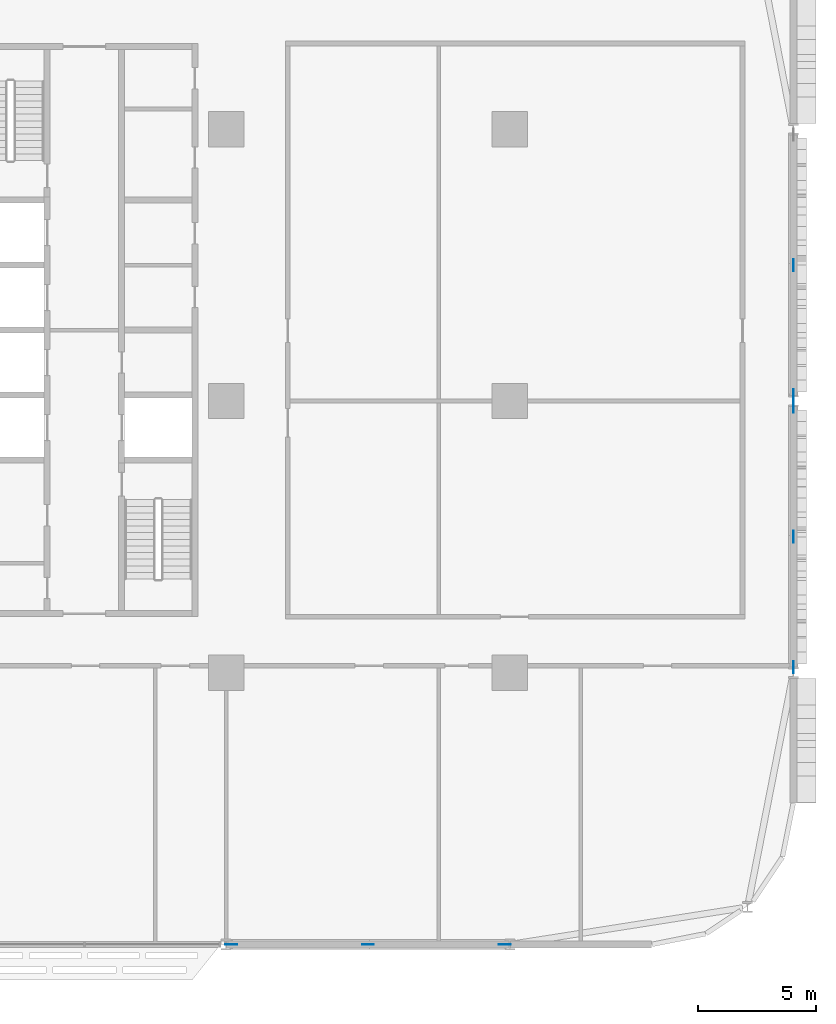
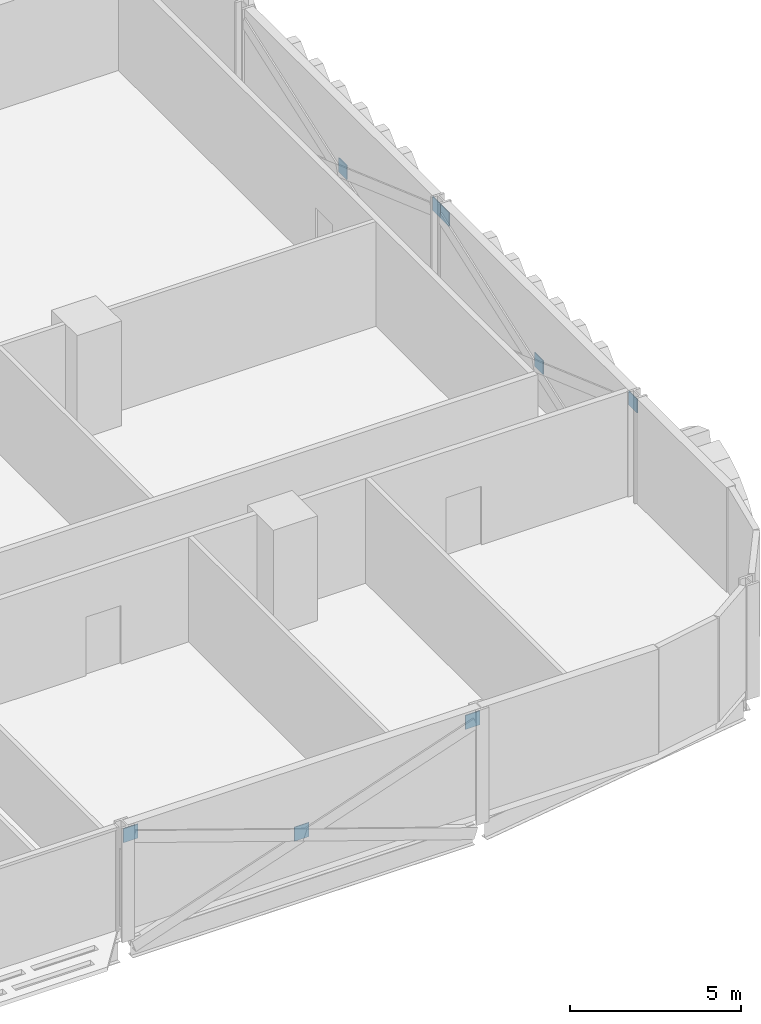
# One storey, part 22 of 29: 8 discrete accessories.
"""IFC4 building model written with IfcOpenShell, lengths in metres."""

from ifc_helpers import new_model, si_unit, direction, frame, origin, origin_2d, place, context, subcontext, project, spatial, rectangle, extrude, material, layer, layer_set, type_object, element, save


model = new_model("IFC4")

# Units and contexts
model_context = context("Model", 3, precision=1e-05, world=origin(), true_north=direction((0.0, 1.0)))
body_context = subcontext(model_context, "Body", "Model", "MODEL_VIEW")
ifc_project = project(units=[si_unit("LENGTHUNIT", "METRE"), si_unit("AREAUNIT", "SQUARE_METRE"), si_unit("VOLUMEUNIT", "CUBIC_METRE"), si_unit("PLANEANGLEUNIT", "RADIAN"), si_unit("MASSUNIT", "GRAM", prefix="KILO")], contexts=[model_context])

# Site, building, storey
site_placement = place(None, origin())
site = spatial("IfcSite", under=ifc_project, at=site_placement, CompositionType="ELEMENT")
building_placement = place(site_placement, origin())
building = spatial("IfcBuilding", under=site, at=building_placement, Name="Mahtab Terrace Research Tower", CompositionType="ELEMENT")
storey_placement = place(building_placement, frame((0.0, 0.0, 76.10009765625)))
storey = spatial("IfcBuildingStorey", under=building, at=storey_placement, Name="L17", CompositionType="ELEMENT", Elevation=76.10009765625)

# Discrete accessories
ifc_material = material(Name="Steel ASTM A992 Gr 50", Category="steel")
ifc_layer = layer(ifc_material, 0.030029296875)
ifc_layer_set = layer_set([ifc_layer], Name="Gusset plate 500x500x30")
discrete_accessory_type = type_object("IfcDiscreteAccessoryType", Name="Gusset plate 500x500x30", PredefinedType="USERDEFINED", material=ifc_layer_set)
for number, where, z_axis, x_axis, name in (
    (1, (30.212158203125, -23.0, 3.04931640625), (0.0, 0.0, 1.0), (1.0, 0.0, 0.0), "Gusset plate"),
    (2, (36.0, -23.0, 1.076416015625), (0.0, 0.0, 1.0), (1.0, 0.0, 0.0), "Gusset plate"),
    (3, (41.787841796875, -23.0, 3.04931640625), (0.0, 0.0, 1.0), (1.0, 0.0, 0.0), "Gusset plate"),
    (4, (54.0, -11.262451171875, 3.037109375), (0.0, 0.0, 1.0), (0.0, 1.0, 0.0), "Gusset plate"),
    (5, (54.0, -5.75, 1.076416015625), (0.0, 0.0, 1.0), (0.0, 1.0, 0.0), "Gusset plate"),
    (6, (54.0, -0.237548828125, 3.037109375), (0.0, 0.0, 1.0), (0.0, 1.0, 0.0), "Gusset plate"),
    (7, (54.0, 0.237548828125, 3.037109375), (0.0, 0.0, 1.0), (0.0, 1.0, 0.0), "Gusset plate"),
    (8, (54.0, 5.75, 1.076416015625), (0.0, 0.0, 1.0), (0.0, 1.0, 0.0), "Gusset plate"),
):
    element("IfcDiscreteAccessory", number, at=place(storey_placement, frame(where, z_axis=z_axis, x_axis=x_axis)), inside=storey, type_object=discrete_accessory_type, Name=name, ObjectType="GUSSET PLATE", PredefinedType="USERDEFINED", context=body_context, shape_type="SweptSolid", body=[
        extrude(rectangle(XDim=0.5, YDim=0.030029296875, at=origin_2d()), origin(), (0.0, 0.0, 1.0), 0.5),
    ])

save(model, "model.ifc")
